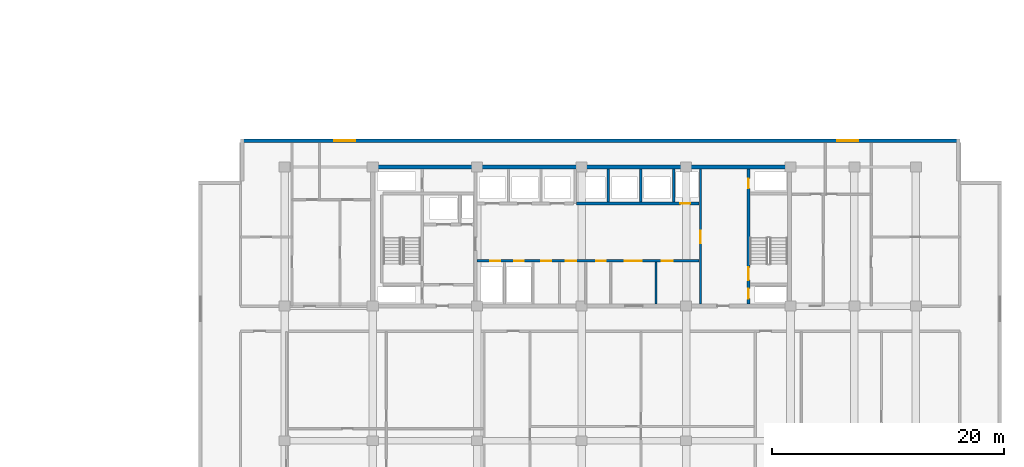
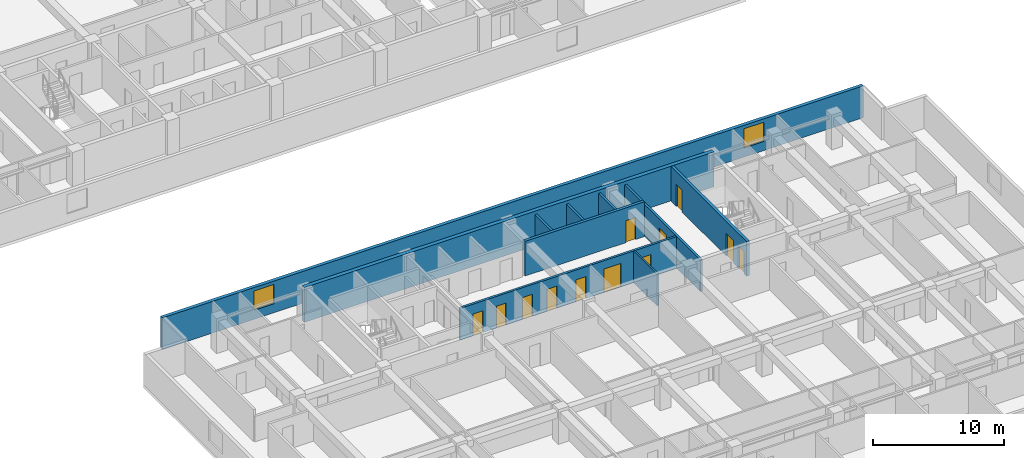
# One storey, part 7 of 23: 12 doors, 10 walls, 2 windows, 14 openings.
"""IFC4 building model written with IfcOpenShell, lengths in metres."""

from ifc_helpers import new_model, si_unit, direction, frame, frame_2d, origin, place, context, subcontext, project, spatial, rectangle, extrude, material, layer, layer_set, type_object, element, fill, save


model = new_model("IFC4")

# Units and contexts
model_context = context("Model", 3, precision=1e-05, world=origin(), true_north=direction((0.0, 1.0)))
body_context = subcontext(model_context, "Body", "Model", "MODEL_VIEW")
ifc_project = project(units=[si_unit("LENGTHUNIT", "METRE"), si_unit("AREAUNIT", "SQUARE_METRE"), si_unit("VOLUMEUNIT", "CUBIC_METRE"), si_unit("PLANEANGLEUNIT", "RADIAN"), si_unit("MASSUNIT", "GRAM", prefix="KILO")], contexts=[model_context])

# Site, building, storey
site_placement = place(None, origin())
site = spatial("IfcSite", under=ifc_project, at=site_placement, CompositionType="ELEMENT")
building_placement = place(site_placement, origin())
building = spatial("IfcBuilding", under=site, at=building_placement, Name="Korimba Cascade Residences", CompositionType="ELEMENT")
storey_placement = place(building_placement, frame((0.0, 0.0, 56.5)))
storey = spatial("IfcBuildingStorey", under=building, at=storey_placement, Name="L15", CompositionType="ELEMENT", Elevation=56.5)

# Wall, openings, windows
ifc_material_1 = material(Name="Precast concrete C40/50", Category="concrete")
ifc_layer_1 = layer(ifc_material_1, 0.300048828125)
ifc_layer_set_1 = layer_set([ifc_layer_1], Name="Precast concrete C40/50")
wall_type_1 = type_object("IfcWallType", Name="EW-STONE-300", PredefinedType="STANDARD", material=ifc_layer_set_1)
wall_1_placement = place(storey_placement, frame((132.699951171875, 32.64990234375, 0.0), z_axis=(0.0, 0.0, 1.0), x_axis=(-1.0, 0.0, 0.0)))
wall_1 = element("IfcWall", 1, at=wall_1_placement, inside=storey, type_object=wall_type_1, Name="L15 T2 Perimeter Stone Wall E06", PredefinedType="STANDARD", context=body_context, shape_type="SweptSolid", body=[
    extrude(rectangle(XDim=62.0, YDim=0.300048828125, at=frame_2d((31.0, 0.0))), origin(), (0.0, 0.0, 1.0), 2.969970703125),
])
opening_1_placement = place(wall_1_placement, frame((52.125, 0.0, 0.85009765625)))
opening_1 = element("IfcOpeningElement", 2, at=opening_1_placement, cuts=wall_1, Name="Opening W-02", PredefinedType="OPENING", context=body_context, shape_type="SweptSolid", body=[
    extrude(rectangle(XDim=1.800048828125, YDim=1.800048828125, at=frame_2d((0.89990234375, 0.89990234375))), frame((0.0, 0.16015625, 0.0), z_axis=(0.0, -1.0, 0.0), x_axis=(1.0, 0.0, 0.0)), (0.0, 0.0, 1.0), 0.320068359375),
])
opening_2_placement = place(wall_1_placement, frame((8.77490234375, 0.0, 0.85009765625)))
opening_2 = element("IfcOpeningElement", 3, at=opening_2_placement, cuts=wall_1, Name="Opening W-02", PredefinedType="OPENING", context=body_context, shape_type="SweptSolid", body=[
    extrude(rectangle(XDim=1.800048828125, YDim=1.800048828125, at=frame_2d((0.89990234375, 0.89990234375))), frame((0.0, 0.16015625, 0.0), z_axis=(0.0, -1.0, 0.0), x_axis=(1.0, 0.0, 0.0)), (0.0, 0.0, 1.0), 0.320068359375),
])
ifc_material_2 = material(Name="Double-Glazed Aluminium Window", Category="aluminium")
window_type = type_object("IfcWindowType", Name="WIN-BED-1800", PartitioningType="SINGLE_PANEL", PredefinedType="WINDOW", material=ifc_material_2)
window_1_placement = place(opening_1_placement, origin())
window_1 = element("IfcWindow", 4, at=window_1_placement, inside=storey, type_object=window_type, Name="L15 T2 North Corner Bedroom Window 1", OverallHeight=1.800048828125, OverallWidth=1.800048828125, PartitioningType="SINGLE_PANEL", PredefinedType="WINDOW", context=body_context, shape_type="SweptSolid", body=[
    extrude(rectangle(XDim=1.800048828125, YDim=1.800048828125, at=frame_2d((0.89990234375, 0.89990234375))), frame((0.0, 0.030029296875, 0.0), z_axis=(0.0, -1.0, 0.0), x_axis=(1.0, 0.0, 0.0)), (0.0, 0.0, 1.0), 0.06005859375),
])
fill(opening_1, window_1)
window_2_placement = place(opening_2_placement, origin())
window_2 = element("IfcWindow", 5, at=window_2_placement, inside=storey, type_object=window_type, Name="L15 T2 North Corner Bedroom Window 2", OverallHeight=1.800048828125, OverallWidth=1.800048828125, PartitioningType="SINGLE_PANEL", PredefinedType="WINDOW", context=body_context, shape_type="SweptSolid", body=[
    extrude(rectangle(XDim=1.800048828125, YDim=1.800048828125, at=frame_2d((0.89990234375, 0.89990234375))), frame((0.0, 0.030029296875, 0.0), z_axis=(0.0, -1.0, 0.0), x_axis=(1.0, 0.0, 0.0)), (0.0, 0.0, 1.0), 0.06005859375),
])
fill(opening_2, window_2)

# Walls
ifc_material_3 = material(Name="Concrete C65/80", Category="concrete")
ifc_layer_2 = layer(ifc_material_3, 0.35009765625)
ifc_layer_set_2 = layer_set([ifc_layer_2], Name="Concrete C65/80")
wall_type_2 = type_object("IfcWallType", Name="WAL-CORE-350", PredefinedType="SHEAR", material=ifc_layer_set_2)
wall_2_placement = place(storey_placement, frame((81.925048828125, 30.39990234375, 0.0), z_axis=(0.0, 0.0, 1.0), x_axis=(1.0, 0.0, 0.0)))
element("IfcWall", 6, at=wall_2_placement, inside=storey, type_object=wall_type_2, Name="L15 Core Shear Wall CW-L15-T2-N", PredefinedType="SHEAR", context=body_context, shape_type="SweptSolid", body=[
    extrude(rectangle(XDim=36.264892578125, YDim=0.35009765625, at=frame_2d((18.13232421875, 0.0))), origin(), (0.0, 0.0, 1.0), 3.25),
])
ifc_material_4 = material(Name="Insulated Acoustic Stud Partition", Category="gypsum")
ifc_layer_3 = layer(ifc_material_4, 0.14990234375)
ifc_layer_set_3 = layer_set([ifc_layer_3], Name="Insulated Acoustic Stud Partition")
wall_type_3 = type_object("IfcWallType", Name="WAL-PART-150", PredefinedType="PARTITIONING", material=ifc_layer_set_3)
wall_3_placement = place(storey_placement, frame((106.5, 18.60009765625, 0.0), z_axis=(0.0, 0.0, 1.0), x_axis=(0.0, 1.0, 0.0)))
element("IfcWall", 7, at=wall_3_placement, inside=storey, type_object=wall_type_3, Name="L15 Partition Wall CW-L15-T2-THE", PredefinedType="PARTITIONING", context=body_context, shape_type="SweptSolid", body=[
    extrude(rectangle(XDim=3.599853515625, YDim=0.14990234375, at=frame_2d((1.7998046875, 0.0))), origin(), (0.0, 0.0, 1.0), 2.969970703125),
])
ifc_material_5 = material(Name="Concrete C40/50", Category="concrete")
ifc_layer_4 = layer(ifc_material_5, 0.199951171875)
ifc_layer_set_4 = layer_set([ifc_layer_4], Name="Concrete C40/50")
wall_type_4 = type_object("IfcWallType", Name="WAL-PART-200", PredefinedType="PARTITIONING", material=ifc_layer_set_4)
for number, where, z_axis, x_axis, name in (
    (8, (102.39990234375, 27.3798828125, 0.0), (0.0, 0.0, 1.0), (0.0, 1.0, 0.0), "L15 Partition Wall CW-L15-T2-B2D1"),
    (9, (105.199951171875, 27.3798828125, 0.0), (0.0, 0.0, 1.0), (0.0, 1.0, 0.0), "L15 Partition Wall CW-L15-T2-B2D2"),
    (10, (108.050048828125, 27.3798828125, 0.0), (0.0, 0.0, 1.0), (0.0, 1.0, 0.0), "L15 Partition Wall CW-L15-T2-B2D3"),
):
    element("IfcWall", number, at=place(storey_placement, frame(where, z_axis=z_axis, x_axis=x_axis)), inside=storey, type_object=wall_type_4, Name=name, PredefinedType="PARTITIONING", context=body_context, shape_type="SweptSolid", body=[
        extrude(rectangle(XDim=2.820068359375, YDim=0.199951171875, at=frame_2d((1.41015625, 0.0))), origin(), (0.0, 0.0, 1.0), 2.969970703125),
    ])

# Wall, openings, doors
wall_4_placement = place(storey_placement, frame((91.080078125, 22.300048828125, 0.0), z_axis=(0.0, 0.0, 1.0), x_axis=(1.0, 0.0, 0.0)))
wall_4 = element("IfcWall", 11, at=wall_4_placement, inside=storey, type_object=wall_type_4, Name="L15 Partition Wall CW-L15-T2-SRVROW", PredefinedType="PARTITIONING", context=body_context, shape_type="SweptSolid", body=[
    extrude(rectangle(XDim=19.139892578125, YDim=0.199951171875, at=frame_2d((9.56982421875, 0.0))), origin(), (0.0, 0.0, 1.0), 2.969970703125),
])
opening_3_placement = place(wall_4_placement, frame((1.14990234375, 0.0, 0.0)))
opening_3 = element("IfcOpeningElement", 12, at=opening_3_placement, cuts=wall_4, Name="Opening D-RS1", PredefinedType="OPENING", context=body_context, shape_type="SweptSolid", body=[
    extrude(rectangle(XDim=0.85009765625, YDim=2.050048828125, at=frame_2d((0.425048828125, 1.02490234375))), frame((0.0, 0.10986328125, 0.0), z_axis=(0.0, -1.0, 0.0), x_axis=(1.0, 0.0, 0.0)), (0.0, 0.0, 1.0), 0.219970703125),
])
opening_4_placement = place(wall_4_placement, frame((3.199951171875, 0.0, 0.0)))
opening_4 = element("IfcOpeningElement", 13, at=opening_4_placement, cuts=wall_4, Name="Opening D-RS1", PredefinedType="OPENING", context=body_context, shape_type="SweptSolid", body=[
    extrude(rectangle(XDim=0.85009765625, YDim=2.050048828125, at=frame_2d((0.425048828125, 1.02490234375))), frame((0.0, 0.10986328125, 0.0), z_axis=(0.0, -1.0, 0.0), x_axis=(1.0, 0.0, 0.0)), (0.0, 0.0, 1.0), 0.219970703125),
])
opening_5_placement = place(wall_4_placement, frame((12.719970703125, 0.0, 0.0)))
opening_5 = element("IfcOpeningElement", 14, at=opening_5_placement, cuts=wall_4, Name="Opening D-FD8", PredefinedType="OPENING", context=body_context, shape_type="SweptSolid", body=[
    extrude(rectangle(XDim=1.5, YDim=2.199951171875, at=frame_2d((0.75, 1.10009765625))), frame((0.0, 0.10986328125, 0.0), z_axis=(0.0, -1.0, 0.0), x_axis=(1.0, 0.0, 0.0)), (0.0, 0.0, 1.0), 0.219970703125),
])
opening_6_placement = place(wall_4_placement, frame((5.52001953125, 0.0, 0.0)))
opening_6 = element("IfcOpeningElement", 15, at=opening_6_placement, cuts=wall_4, Name="Opening D-IN2", PredefinedType="OPENING", context=body_context, shape_type="SweptSolid", body=[
    extrude(rectangle(XDim=0.8798828125, YDim=2.06005859375, at=frame_2d((0.43994140625, 1.030029296875))), frame((0.0, 0.10986328125, 0.0), z_axis=(0.0, -1.0, 0.0), x_axis=(1.0, 0.0, 0.0)), (0.0, 0.0, 1.0), 0.219970703125),
])
opening_7_placement = place(wall_4_placement, frame((7.669921875, 0.0, 0.0)))
opening_7 = element("IfcOpeningElement", 16, at=opening_7_placement, cuts=wall_4, Name="Opening D-IN2", PredefinedType="OPENING", context=body_context, shape_type="SweptSolid", body=[
    extrude(rectangle(XDim=0.8798828125, YDim=2.06005859375, at=frame_2d((0.43994140625, 1.030029296875))), frame((0.0, 0.10986328125, 0.0), z_axis=(0.0, -1.0, 0.0), x_axis=(1.0, 0.0, 0.0)), (0.0, 0.0, 1.0), 0.219970703125),
])
opening_8_placement = place(wall_4_placement, frame((10.27001953125, 0.0, 0.0)))
opening_8 = element("IfcOpeningElement", 17, at=opening_8_placement, cuts=wall_4, Name="Opening D-RS1", PredefinedType="OPENING", context=body_context, shape_type="SweptSolid", body=[
    extrude(rectangle(XDim=0.85009765625, YDim=2.050048828125, at=frame_2d((0.425048828125, 1.02490234375))), frame((0.0, 0.10986328125, 0.0), z_axis=(0.0, -1.0, 0.0), x_axis=(1.0, 0.0, 0.0)), (0.0, 0.0, 1.0), 0.219970703125),
])
opening_9_placement = place(wall_4_placement, frame((15.919921875, 0.0, 0.0)))
opening_9 = element("IfcOpeningElement", 18, at=opening_9_placement, cuts=wall_4, Name="Opening D-AC1", PredefinedType="OPENING", context=body_context, shape_type="SweptSolid", body=[
    extrude(rectangle(XDim=0.9599609375, YDim=2.10009765625, at=frame_2d((0.47998046875, 1.050048828125))), frame((0.0, 0.10986328125, 0.0), z_axis=(0.0, -1.0, 0.0), x_axis=(1.0, 0.0, 0.0)), (0.0, 0.0, 1.0), 0.219970703125),
])
ifc_material_6 = material(Name="Accessible Acoustic Timber WC Door", Category="wood")
door_type_1 = type_object("IfcDoorType", Name="DR-ACC-950", OperationType="NOTDEFINED", PredefinedType="DOOR", material=ifc_material_6)
door_1_placement = place(opening_9_placement, origin())
door_1 = element("IfcDoor", 19, at=door_1_placement, inside=storey, type_object=door_type_1, Name="L15 T2 Accessible Staff WC Door", OperationType="SINGLE_SWING_LEFT", OverallHeight=2.10009765625, OverallWidth=0.9599609375, PredefinedType="DOOR", context=body_context, shape_type="SweptSolid", body=[
    extrude(rectangle(XDim=0.9599609375, YDim=2.10009765625, at=frame_2d((0.47998046875, 1.050048828125))), frame((0.0, 0.02490234375, 0.0), z_axis=(0.0, -1.0, 0.0), x_axis=(1.0, 0.0, 0.0)), (0.0, 0.0, 1.0), 0.050048828125),
])
fill(opening_9, door_1)
ifc_material_7 = material(Name="Fire-Rated Steel Riser Access Door", Category="steel")
door_type_2 = type_object("IfcDoorType", Name="DR-FD60-850", OperationType="NOTDEFINED", PredefinedType="DOOR", material=ifc_material_7)
door_2_placement = place(opening_3_placement, origin())
door_2 = element("IfcDoor", 20, at=door_2_placement, inside=storey, type_object=door_type_2, Name="L15 T2 Electrical Riser Door", OperationType="SINGLE_SWING_RIGHT", OverallHeight=2.050048828125, OverallWidth=0.85009765625, PredefinedType="DOOR", context=body_context, shape_type="SweptSolid", body=[
    extrude(rectangle(XDim=0.85009765625, YDim=2.050048828125, at=frame_2d((0.425048828125, 1.02490234375))), frame((0.0, 0.02490234375, 0.0), z_axis=(0.0, -1.0, 0.0), x_axis=(1.0, 0.0, 0.0)), (0.0, 0.0, 1.0), 0.050048828125),
])
fill(opening_3, door_2)
door_3_placement = place(opening_4_placement, origin())
door_3 = element("IfcDoor", 21, at=door_3_placement, inside=storey, type_object=door_type_2, Name="L15 T2 Plumbing Riser Door", OperationType="SINGLE_SWING_LEFT", OverallHeight=2.050048828125, OverallWidth=0.85009765625, PredefinedType="DOOR", context=body_context, shape_type="SweptSolid", body=[
    extrude(rectangle(XDim=0.85009765625, YDim=2.050048828125, at=frame_2d((0.425048828125, 1.02490234375))), frame((0.0, 0.02490234375, 0.0), z_axis=(0.0, -1.0, 0.0), x_axis=(1.0, 0.0, 0.0)), (0.0, 0.0, 1.0), 0.050048828125),
])
fill(opening_4, door_3)
door_4_placement = place(opening_8_placement, origin())
door_4 = element("IfcDoor", 22, at=door_4_placement, inside=storey, type_object=door_type_2, Name="L15 T2 IT Room Door", OperationType="SINGLE_SWING_RIGHT", OverallHeight=2.050048828125, OverallWidth=0.85009765625, PredefinedType="DOOR", context=body_context, shape_type="SweptSolid", body=[
    extrude(rectangle(XDim=0.85009765625, YDim=2.050048828125, at=frame_2d((0.425048828125, 1.02490234375))), frame((0.0, 0.02490234375, 0.0), z_axis=(0.0, -1.0, 0.0), x_axis=(1.0, 0.0, 0.0)), (0.0, 0.0, 1.0), 0.050048828125),
])
fill(opening_8, door_4)
ifc_material_8 = material(Name="Fire-Rated Glazed Lift Lobby Double Door", Category="glass")
door_type_3 = type_object("IfcDoorType", Name="DR-FD90-1500", OperationType="NOTDEFINED", PredefinedType="DOOR", material=ifc_material_8)
door_5_placement = place(opening_5_placement, origin())
door_5 = element("IfcDoor", 23, at=door_5_placement, inside=storey, type_object=door_type_3, Name="L15 T2 Lift Lobby Foyer Door", OperationType="DOUBLE_DOOR_SINGLE_SWING", OverallHeight=2.199951171875, OverallWidth=1.5, PredefinedType="DOOR", context=body_context, shape_type="SweptSolid", body=[
    extrude(rectangle(XDim=1.5, YDim=2.199951171875, at=frame_2d((0.75, 1.10009765625))), frame((0.0, 0.02490234375, 0.0), z_axis=(0.0, -1.0, 0.0), x_axis=(1.0, 0.0, 0.0)), (0.0, 0.0, 1.0), 0.050048828125),
])
fill(opening_5, door_5)
ifc_material_9 = material(Name="Acoustic Timber Bedroom Door", Category="wood")
door_type_4 = type_object("IfcDoorType", Name="DR-INT-880", OperationType="NOTDEFINED", PredefinedType="DOOR", material=ifc_material_9)
door_6_placement = place(opening_6_placement, origin())
door_6 = element("IfcDoor", 24, at=door_6_placement, inside=storey, type_object=door_type_4, Name="L15 T2 Cleaners Door", OperationType="SINGLE_SWING_RIGHT", OverallHeight=2.06005859375, OverallWidth=0.8798828125, PredefinedType="DOOR", context=body_context, shape_type="SweptSolid", body=[
    extrude(rectangle(XDim=0.8798828125, YDim=2.06005859375, at=frame_2d((0.43994140625, 1.030029296875))), frame((0.0, 0.02490234375, 0.0), z_axis=(0.0, -1.0, 0.0), x_axis=(1.0, 0.0, 0.0)), (0.0, 0.0, 1.0), 0.050048828125),
])
fill(opening_6, door_6)
door_7_placement = place(opening_7_placement, origin())
door_7 = element("IfcDoor", 25, at=door_7_placement, inside=storey, type_object=door_type_4, Name="L15 T2 Pantry Door", OperationType="SINGLE_SWING_LEFT", OverallHeight=2.06005859375, OverallWidth=0.8798828125, PredefinedType="DOOR", context=body_context, shape_type="SweptSolid", body=[
    extrude(rectangle(XDim=0.8798828125, YDim=2.06005859375, at=frame_2d((0.43994140625, 1.030029296875))), frame((0.0, 0.02490234375, 0.0), z_axis=(0.0, -1.0, 0.0), x_axis=(1.0, 0.0, 0.0)), (0.0, 0.0, 1.0), 0.050048828125),
])
fill(opening_7, door_7)

# Wall, opening, door
wall_5_placement = place(storey_placement, frame((110.35009765625, 18.60009765625, 0.0), z_axis=(0.0, 0.0, 1.0), x_axis=(0.0, 1.0, 0.0)))
wall_5 = element("IfcWall", 26, at=wall_5_placement, inside=storey, type_object=wall_type_4, Name="L15 Partition Wall CW-L15-T2-LLEV", PredefinedType="PARTITIONING", context=body_context, shape_type="SweptSolid", body=[
    extrude(rectangle(XDim=11.599853515625, YDim=0.199951171875, at=frame_2d((5.7998046875, 0.0))), origin(), (0.0, 0.0, 1.0), 2.969970703125),
])
opening_10_placement = place(wall_5_placement, frame((5.199951171875, 0.0, 0.0)))
opening_10 = element("IfcOpeningElement", 27, at=opening_10_placement, cuts=wall_5, Name="Opening D-FD6", PredefinedType="OPENING", context=body_context, shape_type="SweptSolid", body=[
    extrude(rectangle(XDim=1.10009765625, YDim=2.14990234375, at=frame_2d((0.550048828125, 1.074951171875))), frame((0.0, 0.10986328125, 0.0), z_axis=(0.0, -1.0, 0.0), x_axis=(1.0, 0.0, 0.0)), (0.0, 0.0, 1.0), 0.219970703125),
])
ifc_material_10 = material(Name="Fire-Rated Timber Stair Lobby Door", Category="wood")
door_type_5 = type_object("IfcDoorType", Name="DR-FD90-1100", OperationType="NOTDEFINED", PredefinedType="DOOR", material=ifc_material_10)
door_8_placement = place(opening_10_placement, origin())
door_8 = element("IfcDoor", 28, at=door_8_placement, inside=storey, type_object=door_type_5, Name="L15 T2 Lift Lobby to East Stair Lobby Door", OperationType="SINGLE_SWING_RIGHT", OverallHeight=2.14990234375, OverallWidth=1.10009765625, PredefinedType="DOOR", context=body_context, shape_type="SweptSolid", body=[
    extrude(rectangle(XDim=1.10009765625, YDim=2.14990234375, at=frame_2d((0.550048828125, 1.074951171875))), frame((0.0, 0.02490234375, 0.0), z_axis=(0.0, -1.0, 0.0), x_axis=(1.0, 0.0, 0.0)), (0.0, 0.0, 1.0), 0.050048828125),
])
fill(opening_10, door_8)

ifc_material_11 = material(Name="Concrete C50/60", Category="concrete")
ifc_layer_5 = layer(ifc_material_11, 0.25)
ifc_layer_set_5 = layer_set([ifc_layer_5], Name="Concrete C50/60")
wall_type_5 = type_object("IfcWallType", Name="WAL-SHAFT-250", PredefinedType="SHEAR", material=ifc_layer_set_5)
wall_6_placement = place(storey_placement, frame((99.679931640625, 27.25, 0.0), z_axis=(0.0, 0.0, 1.0), x_axis=(1.0, 0.0, 0.0)))
wall_6 = element("IfcWall", 29, at=wall_6_placement, inside=storey, type_object=wall_type_5, Name="L15 Core Shear Wall CW-L15-T2-B2S", PredefinedType="SHEAR", context=body_context, shape_type="SweptSolid", body=[
    extrude(rectangle(XDim=10.5400390625, YDim=0.25, at=frame_2d((5.27001953125, 0.0))), origin(), (0.0, 0.0, 1.0), 3.25),
])
opening_11_placement = place(wall_6_placement, frame((8.919921875, 0.0, 0.0)))
opening_11 = element("IfcOpeningElement", 30, at=opening_11_placement, cuts=wall_6, Name="Opening D-RS1", PredefinedType="OPENING", context=body_context, shape_type="SweptSolid", body=[
    extrude(rectangle(XDim=0.85009765625, YDim=2.050048828125, at=frame_2d((0.425048828125, 1.02490234375))), frame((0.0, 0.135009765625, 0.0), z_axis=(0.0, -1.0, 0.0), x_axis=(1.0, 0.0, 0.0)), (0.0, 0.0, 1.0), 0.27001953125),
])
door_9_placement = place(opening_11_placement, origin())
door_9 = element("IfcDoor", 31, at=door_9_placement, inside=storey, type_object=door_type_2, Name="L15 T2 Duct Door", OperationType="SINGLE_SWING_LEFT", OverallHeight=2.050048828125, OverallWidth=0.85009765625, PredefinedType="DOOR", context=body_context, shape_type="SweptSolid", body=[
    extrude(rectangle(XDim=0.85009765625, YDim=2.050048828125, at=frame_2d((0.425048828125, 1.02490234375))), frame((0.0, 0.02490234375, 0.0), z_axis=(0.0, -1.0, 0.0), x_axis=(1.0, 0.0, 0.0)), (0.0, 0.0, 1.0), 0.050048828125),
])
fill(opening_11, door_9)

# Wall, openings, doors
wall_7_placement = place(storey_placement, frame((114.47509765625, 18.60009765625, 0.0), z_axis=(0.0, 0.0, 1.0), x_axis=(0.0, 1.0, 0.0)))
wall_7 = element("IfcWall", 32, at=wall_7_placement, inside=storey, type_object=wall_type_5, Name="L15 Core Shear Wall CW-L15-T2-STE2W", PredefinedType="SHEAR", context=body_context, shape_type="SweptSolid", body=[
    extrude(rectangle(XDim=11.599853515625, YDim=0.25, at=frame_2d((5.7998046875, 0.0))), origin(), (0.0, 0.0, 1.0), 3.25),
])
opening_12_placement = place(wall_7_placement, frame((0.449951171875, 0.0, 0.0)))
opening_12 = element("IfcOpeningElement", 33, at=opening_12_placement, cuts=wall_7, Name="Opening D-RS1", PredefinedType="OPENING", context=body_context, shape_type="SweptSolid", body=[
    extrude(rectangle(XDim=0.85009765625, YDim=2.050048828125, at=frame_2d((0.425048828125, 1.02490234375))), frame((0.0, 0.135009765625, 0.0), z_axis=(0.0, -1.0, 0.0), x_axis=(1.0, 0.0, 0.0)), (0.0, 0.0, 1.0), 0.27001953125),
])
opening_13_placement = place(wall_7_placement, frame((2.050048828125, 0.0, 0.0)))
opening_13 = element("IfcOpeningElement", 34, at=opening_13_placement, cuts=wall_7, Name="Opening D-FD1", PredefinedType="OPENING", context=body_context, shape_type="SweptSolid", body=[
    extrude(rectangle(XDim=1.10009765625, YDim=2.10009765625, at=frame_2d((0.550048828125, 1.050048828125))), frame((0.0, 0.135009765625, 0.0), z_axis=(0.0, -1.0, 0.0), x_axis=(1.0, 0.0, 0.0)), (0.0, 0.0, 1.0), 0.27001953125),
])
opening_14_placement = place(wall_7_placement, frame((9.949951171875, 0.0, 0.0)))
opening_14 = element("IfcOpeningElement", 35, at=opening_14_placement, cuts=wall_7, Name="Opening D-RS1", PredefinedType="OPENING", context=body_context, shape_type="SweptSolid", body=[
    extrude(rectangle(XDim=0.85009765625, YDim=2.050048828125, at=frame_2d((0.425048828125, 1.02490234375))), frame((0.0, 0.135009765625, 0.0), z_axis=(0.0, -1.0, 0.0), x_axis=(1.0, 0.0, 0.0)), (0.0, 0.0, 1.0), 0.27001953125),
])
ifc_material_12 = material(Name="Fire-Rated Steel Core Door", Category="steel")
door_type_6 = type_object("IfcDoorType", Name="DR-FD120-1100", OperationType="NOTDEFINED", PredefinedType="DOOR", material=ifc_material_12)
door_10_placement = place(opening_13_placement, origin())
door_10 = element("IfcDoor", 36, at=door_10_placement, inside=storey, type_object=door_type_6, Name="L15 Fire Stair ST-E2 Door", OperationType="SINGLE_SWING_RIGHT", OverallHeight=2.10009765625, OverallWidth=1.10009765625, PredefinedType="DOOR", context=body_context, shape_type="SweptSolid", body=[
    extrude(rectangle(XDim=1.10009765625, YDim=2.10009765625, at=frame_2d((0.550048828125, 1.050048828125))), frame((0.0, 0.02490234375, 0.0), z_axis=(0.0, -1.0, 0.0), x_axis=(1.0, 0.0, 0.0)), (0.0, 0.0, 1.0), 0.050048828125),
])
fill(opening_13, door_10)
door_11_placement = place(opening_12_placement, origin())
door_11 = element("IfcDoor", 37, at=door_11_placement, inside=storey, type_object=door_type_2, Name="L15 T2 East Hydrant Door", OperationType="SINGLE_SWING_LEFT", OverallHeight=2.050048828125, OverallWidth=0.85009765625, PredefinedType="DOOR", context=body_context, shape_type="SweptSolid", body=[
    extrude(rectangle(XDim=0.85009765625, YDim=2.050048828125, at=frame_2d((0.425048828125, 1.02490234375))), frame((0.0, 0.02490234375, 0.0), z_axis=(0.0, -1.0, 0.0), x_axis=(1.0, 0.0, 0.0)), (0.0, 0.0, 1.0), 0.050048828125),
])
fill(opening_12, door_11)
door_12_placement = place(opening_14_placement, origin())
door_12 = element("IfcDoor", 38, at=door_12_placement, inside=storey, type_object=door_type_2, Name="L15 T2 East Riser Door", OperationType="SINGLE_SWING_LEFT", OverallHeight=2.050048828125, OverallWidth=0.85009765625, PredefinedType="DOOR", context=body_context, shape_type="SweptSolid", body=[
    extrude(rectangle(XDim=0.85009765625, YDim=2.050048828125, at=frame_2d((0.425048828125, 1.02490234375))), frame((0.0, 0.02490234375, 0.0), z_axis=(0.0, -1.0, 0.0), x_axis=(1.0, 0.0, 0.0)), (0.0, 0.0, 1.0), 0.050048828125),
])
fill(opening_14, door_12)

save(model, "model.ifc")
